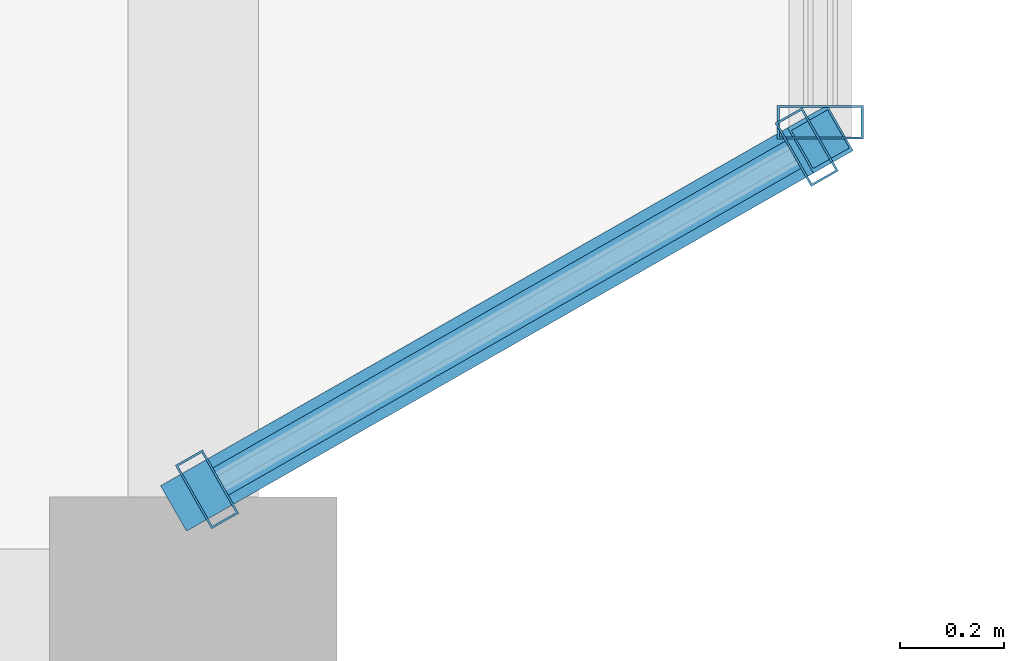
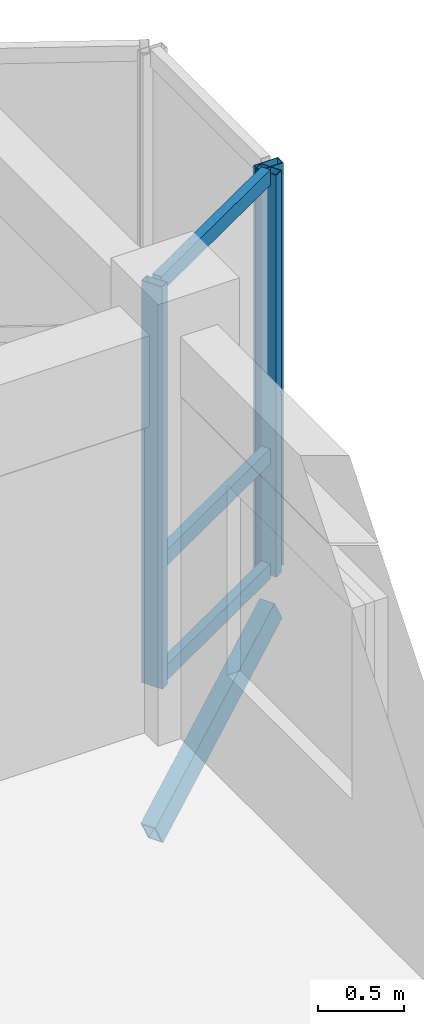
# One storey, part 8 of 77: 7 members, 2 elements without a shape of their own.
"""IFC4 building model written with IfcOpenShell, lengths in metres."""

from ifc_helpers import new_model, si_unit, direction, frame, origin, origin_2d, place, context, subcontext, project, spatial, hollow_rectangle, extrude, material, layer, layer_set, material_profile, profile_set, type_object, element, aggregate, save


model = new_model("IFC4")

# Units and contexts
model_context = context("Model", 3, precision=1e-05, world=origin(), true_north=direction((0.0, 1.0)))
body_context = subcontext(model_context, "Body", "Model", "MODEL_VIEW")
ifc_project = project(units=[si_unit("LENGTHUNIT", "METRE"), si_unit("AREAUNIT", "SQUARE_METRE"), si_unit("VOLUMEUNIT", "CUBIC_METRE"), si_unit("PLANEANGLEUNIT", "RADIAN"), si_unit("MASSUNIT", "GRAM", prefix="KILO"), si_unit("THERMODYNAMICTEMPERATUREUNIT", "KELVIN"), si_unit("POWERUNIT", "WATT")], contexts=[model_context])

# Site, building, storey
site_placement = place(None, origin())
site = spatial("IfcSite", under=ifc_project, at=site_placement, CompositionType="ELEMENT")
building_placement = place(site_placement, origin())
building = spatial("IfcBuilding", under=site, at=building_placement, Name="Tavuni Mirador Residences", CompositionType="ELEMENT")
storey_placement = place(building_placement, frame((0.0, 0.0, 17.10009765625)))
storey = spatial("IfcBuildingStorey", under=building, at=storey_placement, Name="L05", CompositionType="ELEMENT", Elevation=17.10009765625)

# Curtain wall, members
ifc_material_1 = material(Name="Anodised aluminium", Category="aluminium")
ifc_layer_1 = layer(ifc_material_1, 0.1650390625, Name="Anodised aluminium", Category="aluminium")
ifc_layer_set_1 = layer_set([ifc_layer_1], Name="Anodised aluminium")
curtain_wall_type_1 = type_object("IfcCurtainWallType", Name="CWT-MIR-A", PredefinedType="NOTDEFINED", material=ifc_layer_set_1)
curtain_wall_1_placement = place(storey_placement, origin())
curtain_wall_1 = element("IfcCurtainWall", 1, at=curtain_wall_1_placement, inside=storey, type_object=curtain_wall_type_1, Name="CW-MIR-A-E2-L05-M1", PredefinedType="NOTDEFINED")
ifc_material_profile_1 = material_profile(ifc_material_1, hollow_rectangle(XDim=0.06005859375, YDim=0.139892578125, WallThickness=0.00390625, at=origin_2d()), Name="ALU 60x140x4.0", Category="aluminium")
ifc_profile_set_1 = profile_set([ifc_material_profile_1], Name="Anodised aluminium")
member_type_1 = type_object("IfcMemberType", Name="CWM-140", PredefinedType="MULLION", material=ifc_profile_set_1)
member_1_placement = place(storey_placement, frame((32.426025390625, 21.889892578125, 0.0), z_axis=(0.0, 0.0, 1.0), x_axis=(0.868465738194, 0.495749192217, 0.0)))
member_1 = element("IfcMember", 2, at=member_1_placement, type_object=member_type_1, Name="CW-01 mullion 1", PredefinedType="MULLION", context=body_context, shape_type="SweptSolid", body=[
    extrude(hollow_rectangle(XDim=0.06005859375, YDim=0.139892578125, WallThickness=0.00390625, at=origin_2d()), origin(), (0.0, 0.0, 1.0), 2.869873046875),
])
member_2_placement = place(storey_placement, frame((33.573974609375, 22.545166015625, 0.0), z_axis=(0.0, 0.0, 1.0), x_axis=(0.868465738194, 0.495749192217, 0.0)))
member_2 = element("IfcMember", 3, at=member_2_placement, type_object=member_type_1, Name="CW-01 mullion 2", PredefinedType="MULLION", context=body_context, shape_type="SweptSolid", body=[
    extrude(hollow_rectangle(XDim=0.06005859375, YDim=0.139892578125, WallThickness=0.00390625, at=origin_2d()), origin(), (0.0, 0.0, 1.0), 2.869873046875),
])

# Curtain wall, member
ifc_layer_2 = layer(ifc_material_1, 0.14990234375, Name="Anodised aluminium", Category="aluminium")
ifc_layer_set_2 = layer_set([ifc_layer_2], Name="Anodised aluminium")
curtain_wall_type_2 = type_object("IfcCurtainWallType", Name="CWT-MIR-B", PredefinedType="NOTDEFINED", material=ifc_layer_set_2)
curtain_wall_2_placement = place(storey_placement, origin())
curtain_wall_2 = element("IfcCurtainWall", 4, at=curtain_wall_2_placement, inside=storey, type_object=curtain_wall_type_2, Name="CW-MIR-A-E2-L05-MF", PredefinedType="NOTDEFINED")
ifc_material_profile_2 = material_profile(ifc_material_1, hollow_rectangle(XDim=0.06494140625, YDim=0.1650390625, WallThickness=0.00439453125, at=origin_2d()), Name="ALU 65x165x4.5", Category="aluminium")
ifc_profile_set_2 = profile_set([ifc_material_profile_2], Name="Anodised aluminium")
member_type_2 = type_object("IfcMemberType", Name="CWM-165", PredefinedType="MULLION", material=ifc_profile_set_2)
member_3_placement = place(storey_placement, frame((33.60009765625, 22.592529296875, 0.0), z_axis=(0.0, 0.0, 1.0), x_axis=(0.0, 1.0, 0.0)))
member_3 = element("IfcMember", 5, at=member_3_placement, type_object=member_type_2, Name="CW-02 mullion 1", PredefinedType="MULLION", context=body_context, shape_type="SweptSolid", body=[
    extrude(hollow_rectangle(XDim=0.06494140625, YDim=0.1650390625, WallThickness=0.00439453125, at=origin_2d()), origin(), (0.0, 0.0, 1.0), 2.869873046875),
])
aggregate(curtain_wall_2, [member_3])

# Member
ifc_material_profile_3 = material_profile(ifc_material_1, hollow_rectangle(XDim=0.06005859375, YDim=0.110107421875, WallThickness=0.00390625, at=origin_2d()), Name="ALU 60x110x4.0", Category="aluminium")
ifc_profile_set_3 = profile_set([ifc_material_profile_3], Name="Anodised aluminium")
member_type_3 = type_object("IfcMemberType", Name="CWT-110", PredefinedType="USERDEFINED", material=ifc_profile_set_3)
member_4_placement = place(storey_placement, frame((32.4521484375, 21.90478515625, 0.02978515625), z_axis=(0.868457406816, 0.495763787046, 0.0), x_axis=(-0.495763787046, 0.868457406816, 0.0)))
member_4 = element("IfcMember", 6, at=member_4_placement, type_object=member_type_3, Name="CW-01 transom 1.1", ObjectType="TRANSOM", PredefinedType="USERDEFINED", context=body_context, shape_type="SweptSolid", body=[
    extrude(hollow_rectangle(XDim=0.06005859375, YDim=0.110107421875, WallThickness=0.00390625, at=origin_2d()), origin(), (0.0, 0.0, 1.0), 1.26171875),
])

member_5_placement = place(storey_placement, frame((32.4521484375, 21.90478515625, 0.849853515625), z_axis=(0.868457406816, 0.495763787046, 0.0), x_axis=(-0.495763787046, 0.868457406816, 0.0)))
member_5 = element("IfcMember", 7, at=member_5_placement, type_object=member_type_3, Name="CW-01 transom 1.2", ObjectType="TRANSOM", PredefinedType="USERDEFINED", context=body_context, shape_type="SweptSolid", body=[
    extrude(hollow_rectangle(XDim=0.06005859375, YDim=0.110107421875, WallThickness=0.00390625, at=origin_2d()), origin(), (0.0, 0.0, 1.0), 1.26171875),
])

member_6_placement = place(storey_placement, frame((32.4521484375, 21.90478515625, 2.83984375), z_axis=(0.868457406816, 0.495763787046, 0.0), x_axis=(-0.495763787046, 0.868457406816, 0.0)))
member_6 = element("IfcMember", 8, at=member_6_placement, type_object=member_type_3, Name="CW-01 transom 1.3", ObjectType="TRANSOM", PredefinedType="USERDEFINED", context=body_context, shape_type="SweptSolid", body=[
    extrude(hollow_rectangle(XDim=0.06005859375, YDim=0.110107421875, WallThickness=0.00390625, at=origin_2d()), origin(), (0.0, 0.0, 1.0), 1.26171875),
])

aggregate(curtain_wall_1, [member_1, member_2, member_4, member_5, member_6])

ifc_material_2 = material(Name="Structural steel S355", Category="steel")
ifc_material_profile_4 = material_profile(ifc_material_2, hollow_rectangle(XDim=0.10009765625, YDim=0.179931640625, WallThickness=0.008056640625, at=origin_2d()), Name="RHS 180x100x8.0", Category="steel")
ifc_profile_set_4 = profile_set([ifc_material_profile_4], Name="Structural steel S355")
member_type_4 = type_object("IfcMemberType", Name="MT-BR-RHS180", PredefinedType="BRACE", material=ifc_profile_set_4)
member_7_placement = place(storey_placement, frame((32.39990234375, 21.875, -1.050048828125), z_axis=(0.758659970715, 0.433034962942, 0.486739940528), x_axis=(-0.495720321961, 0.868482217662, 0.0)))
element("IfcMember", 9, at=member_7_placement, inside=storey, type_object=member_type_4, Name="MBRK-MIR-A-E2-L05-1", PredefinedType="BRACE", context=body_context, shape_type="SweptSolid", body=[
    extrude(hollow_rectangle(XDim=0.10009765625, YDim=0.179931640625, WallThickness=0.008056640625, at=origin_2d()), origin(), (0.0, 0.0, 1.0), 1.58203125),
])

save(model, "model.ifc")
